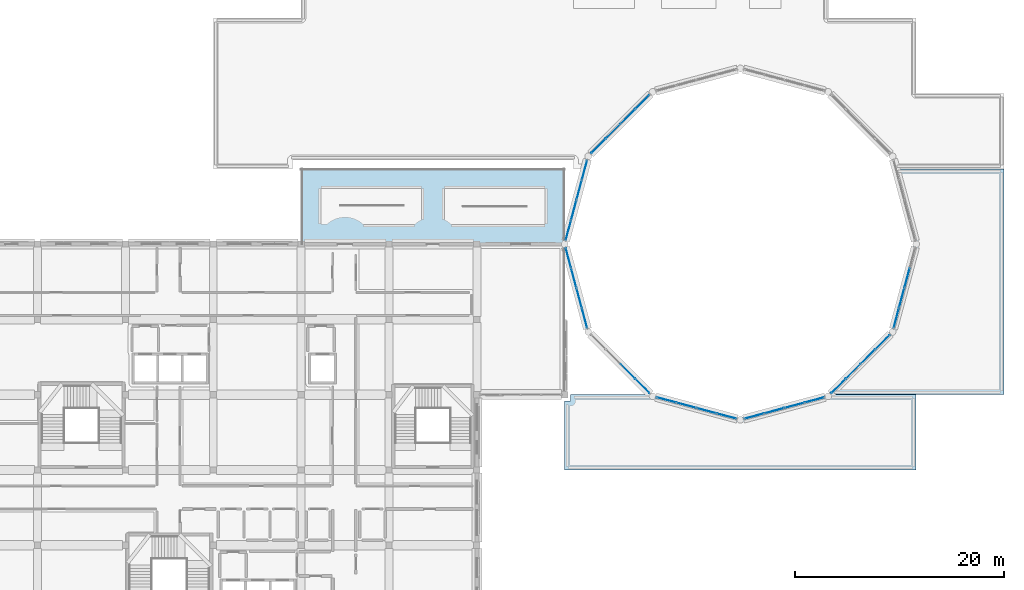
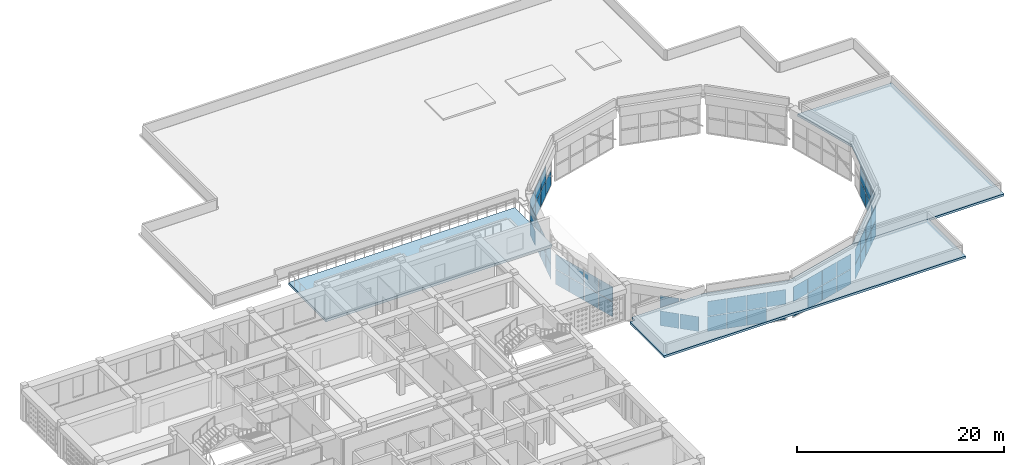
# One storey, part 26 of 48: 57 plates, 3 slabs, 8 elements without a shape of their own.
"""IFC4 building model written with IfcOpenShell, lengths in metres."""

from ifc_helpers import new_model, si_unit, derived_unit, direction, frame, origin, origin_2d, place, context, subcontext, project, spatial, polyline, rectangle, outline, extrude, material, layer, layer_set, type_object, element, aggregate, save


model = new_model("IFC4")

# Units and contexts
model_context = context("Model", 3, precision=1e-05, world=origin(), true_north=direction((0.0, 1.0)))
body_context = subcontext(model_context, "Body", "Model", "MODEL_VIEW")
ifc_project = project(units=[si_unit("LENGTHUNIT", "METRE"), si_unit("AREAUNIT", "SQUARE_METRE"), si_unit("VOLUMEUNIT", "CUBIC_METRE"), si_unit("PLANEANGLEUNIT", "RADIAN"), si_unit("MASSUNIT", "GRAM", prefix="KILO"), derived_unit("THERMALTRANSMITTANCEUNIT", [(si_unit("POWERUNIT", "WATT"), 1), (si_unit("LENGTHUNIT", "METRE"), -2), (si_unit("THERMODYNAMICTEMPERATUREUNIT", "KELVIN"), -1)])], contexts=[model_context])

# Site, building, storey
site_placement = place(None, origin())
site = spatial("IfcSite", under=ifc_project, at=site_placement, CompositionType="ELEMENT")
building_placement = place(site_placement, origin())
building = spatial("IfcBuilding", under=site, at=building_placement, Name="Veybourne Emporium", CompositionType="ELEMENT")
storey_placement = place(building_placement, frame((0.0, 0.0, 27.89990234375)))
storey = spatial("IfcBuildingStorey", under=building, at=storey_placement, Name="L06", CompositionType="ELEMENT", Elevation=27.89990234375)

# Curtain wall, plates
ifc_material_1 = material(Name="Patinated Architectural Bronze", Category="bronze")
curtain_wall_type_1 = type_object("IfcCurtainWallType", Name="CWSystem_CWS-25", PredefinedType="NOTDEFINED", material=ifc_material_1)
curtain_wall_1_placement = place(storey_placement, origin())
curtain_wall_1 = element("IfcCurtainWall", 1, at=curtain_wall_1_placement, inside=storey, type_object=curtain_wall_type_1, Name="Atrium drum clerestory curtain wall 05", PredefinedType="NOTDEFINED")
ifc_material_2 = material(Name="Low-E Triple Glazing", Category="glass")
ifc_layer_1 = layer(ifc_material_2, 0.028076171875)
ifc_layer_set_1 = layer_set([ifc_layer_1], Name="Low-E Triple Glazing")
plate_type = type_object("IfcPlateType", Name="CWPanel_CW-P1", PredefinedType="CURTAIN_PANEL", material=ifc_layer_set_1)
plate_1_placement = place(storey_placement, frame((66.22802734375, 63.977294921875, -4.43017578125), z_axis=(0.0, 0.0, 1.0), x_axis=(-0.707106781187, -0.707106781187, 0.0)))
plate_1 = element("IfcPlate", 2, at=plate_1_placement, type_object=plate_type, Name="CWS-25 panel 1.1", PredefinedType="CURTAIN_PANEL", context=body_context, shape_type="SweptSolid", body=[
    extrude(rectangle(XDim=1.88916015625, YDim=0.028076171875, at=origin_2d()), origin(), (0.0, 0.0, 1.0), 1.735107421875),
])
plate_2_placement = place(storey_placement, frame((64.830322265625, 62.57958984375, -4.43017578125), z_axis=(0.0, 0.0, 1.0), x_axis=(-0.707106781187, -0.707106781187, 0.0)))
plate_2 = element("IfcPlate", 3, at=plate_2_placement, type_object=plate_type, Name="CWS-25 panel 2.1", PredefinedType="CURTAIN_PANEL", context=body_context, shape_type="SweptSolid", body=[
    extrude(rectangle(XDim=1.924072265625, YDim=0.028076171875, at=origin_2d()), origin(), (0.0, 0.0, 1.0), 1.735107421875),
])
plate_3_placement = place(storey_placement, frame((64.830322265625, 62.57958984375, -2.625), z_axis=(0.0, 0.0, 1.0), x_axis=(-0.707106781187, -0.707106781187, 0.0)))
plate_3 = element("IfcPlate", 4, at=plate_3_placement, type_object=plate_type, Name="CWS-25 panel 2.2", PredefinedType="CURTAIN_PANEL", context=body_context, shape_type="SweptSolid", body=[
    extrude(rectangle(XDim=1.924072265625, YDim=0.028076171875, at=origin_2d()), origin(), (0.0, 0.0, 1.0), 1.735107421875),
])
plate_4_placement = place(storey_placement, frame((63.42041015625, 61.169677734375, -4.43017578125), z_axis=(0.0, 0.0, 1.0), x_axis=(-0.707106781187, -0.707106781187, 0.0)))
plate_4 = element("IfcPlate", 5, at=plate_4_placement, type_object=plate_type, Name="CWS-25 panel 3.1", PredefinedType="CURTAIN_PANEL", context=body_context, shape_type="SweptSolid", body=[
    extrude(rectangle(XDim=1.924072265625, YDim=0.028076171875, at=origin_2d()), origin(), (0.0, 0.0, 1.0), 1.735107421875),
])
plate_5_placement = place(storey_placement, frame((63.42041015625, 61.169677734375, -2.625), z_axis=(0.0, 0.0, 1.0), x_axis=(-0.707106781187, -0.707106781187, 0.0)))
plate_5 = element("IfcPlate", 6, at=plate_5_placement, type_object=plate_type, Name="CWS-25 panel 3.2", PredefinedType="CURTAIN_PANEL", context=body_context, shape_type="SweptSolid", body=[
    extrude(rectangle(XDim=1.924072265625, YDim=0.028076171875, at=origin_2d()), origin(), (0.0, 0.0, 1.0), 1.735107421875),
])
plate_6_placement = place(storey_placement, frame((62.022705078125, 59.77197265625, -4.43017578125), z_axis=(0.0, 0.0, 1.0), x_axis=(-0.707106781187, -0.707106781187, 0.0)))
plate_6 = element("IfcPlate", 7, at=plate_6_placement, type_object=plate_type, Name="CWS-25 panel 4.1", PredefinedType="CURTAIN_PANEL", context=body_context, shape_type="SweptSolid", body=[
    extrude(rectangle(XDim=1.88916015625, YDim=0.028076171875, at=origin_2d()), origin(), (0.0, 0.0, 1.0), 1.735107421875),
])
plate_7_placement = place(storey_placement, frame((62.022705078125, 59.77197265625, -2.625), z_axis=(0.0, 0.0, 1.0), x_axis=(-0.707106781187, -0.707106781187, 0.0)))
plate_7 = element("IfcPlate", 8, at=plate_7_placement, type_object=plate_type, Name="CWS-25 panel 4.2", PredefinedType="CURTAIN_PANEL", context=body_context, shape_type="SweptSolid", body=[
    extrude(rectangle(XDim=1.88916015625, YDim=0.028076171875, at=origin_2d()), origin(), (0.0, 0.0, 1.0), 1.735107421875),
])
aggregate(curtain_wall_1, [plate_1, plate_2, plate_3, plate_4, plate_5, plate_6, plate_7])

curtain_wall_type_2 = type_object("IfcCurtainWallType", Name="CWSystem_CWS-26", PredefinedType="NOTDEFINED", material=ifc_material_1)
curtain_wall_2_placement = place(storey_placement, origin())
curtain_wall_2 = element("IfcCurtainWall", 9, at=curtain_wall_2_placement, inside=storey, type_object=curtain_wall_type_2, Name="Atrium drum clerestory curtain wall 06", PredefinedType="NOTDEFINED")
plate_8_placement = place(storey_placement, frame((60.695068359375, 57.472412109375, -4.43017578125), z_axis=(0.0, 0.0, 1.0), x_axis=(-0.258819598266, -0.965925678069, 0.0)))
plate_8 = element("IfcPlate", 10, at=plate_8_placement, type_object=plate_type, Name="CWS-26 panel 1.1", PredefinedType="CURTAIN_PANEL", context=body_context, shape_type="SweptSolid", body=[
    extrude(rectangle(XDim=1.88916015625, YDim=0.028076171875, at=origin_2d()), origin(), (0.0, 0.0, 1.0), 1.735107421875),
])
plate_9_placement = place(storey_placement, frame((60.695068359375, 57.472412109375, -2.625), z_axis=(0.0, 0.0, 1.0), x_axis=(-0.258819598266, -0.965925678069, 0.0)))
plate_9 = element("IfcPlate", 11, at=plate_9_placement, type_object=plate_type, Name="CWS-26 panel 1.2", PredefinedType="CURTAIN_PANEL", context=body_context, shape_type="SweptSolid", body=[
    extrude(rectangle(XDim=1.88916015625, YDim=0.028076171875, at=origin_2d()), origin(), (0.0, 0.0, 1.0), 1.735107421875),
])
plate_10_placement = place(storey_placement, frame((60.183349609375, 55.56298828125, -4.43017578125), z_axis=(0.0, 0.0, 1.0), x_axis=(-0.258819598266, -0.965925678069, 0.0)))
plate_10 = element("IfcPlate", 12, at=plate_10_placement, type_object=plate_type, Name="CWS-26 panel 2.1", PredefinedType="CURTAIN_PANEL", context=body_context, shape_type="SweptSolid", body=[
    extrude(rectangle(XDim=1.924072265625, YDim=0.028076171875, at=origin_2d()), origin(), (0.0, 0.0, 1.0), 1.735107421875),
])
plate_11_placement = place(storey_placement, frame((60.183349609375, 55.56298828125, -2.625), z_axis=(0.0, 0.0, 1.0), x_axis=(-0.258819598266, -0.965925678069, 0.0)))
plate_11 = element("IfcPlate", 13, at=plate_11_placement, type_object=plate_type, Name="CWS-26 panel 2.2", PredefinedType="CURTAIN_PANEL", context=body_context, shape_type="SweptSolid", body=[
    extrude(rectangle(XDim=1.924072265625, YDim=0.028076171875, at=origin_2d()), origin(), (0.0, 0.0, 1.0), 1.735107421875),
])
plate_12_placement = place(storey_placement, frame((59.667236328125, 53.636962890625, -4.43017578125), z_axis=(0.0, 0.0, 1.0), x_axis=(-0.258819598266, -0.965925678069, 0.0)))
plate_12 = element("IfcPlate", 14, at=plate_12_placement, type_object=plate_type, Name="CWS-26 panel 3.1", PredefinedType="CURTAIN_PANEL", context=body_context, shape_type="SweptSolid", body=[
    extrude(rectangle(XDim=1.924072265625, YDim=0.028076171875, at=origin_2d()), origin(), (0.0, 0.0, 1.0), 1.735107421875),
])
plate_13_placement = place(storey_placement, frame((59.667236328125, 53.636962890625, -2.625), z_axis=(0.0, 0.0, 1.0), x_axis=(-0.258819598266, -0.965925678069, 0.0)))
plate_13 = element("IfcPlate", 15, at=plate_13_placement, type_object=plate_type, Name="CWS-26 panel 3.2", PredefinedType="CURTAIN_PANEL", context=body_context, shape_type="SweptSolid", body=[
    extrude(rectangle(XDim=1.924072265625, YDim=0.028076171875, at=origin_2d()), origin(), (0.0, 0.0, 1.0), 1.735107421875),
])
plate_14_placement = place(storey_placement, frame((59.15576171875, 51.727783203125, -4.43017578125), z_axis=(0.0, 0.0, 1.0), x_axis=(-0.258819598266, -0.965925678069, 0.0)))
plate_14 = element("IfcPlate", 16, at=plate_14_placement, type_object=plate_type, Name="CWS-26 panel 4.1", PredefinedType="CURTAIN_PANEL", context=body_context, shape_type="SweptSolid", body=[
    extrude(rectangle(XDim=1.88916015625, YDim=0.028076171875, at=origin_2d()), origin(), (0.0, 0.0, 1.0), 1.735107421875),
])
plate_15_placement = place(storey_placement, frame((59.15576171875, 51.727783203125, -2.625), z_axis=(0.0, 0.0, 1.0), x_axis=(-0.258819598266, -0.965925678069, 0.0)))
plate_15 = element("IfcPlate", 17, at=plate_15_placement, type_object=plate_type, Name="CWS-26 panel 4.2", PredefinedType="CURTAIN_PANEL", context=body_context, shape_type="SweptSolid", body=[
    extrude(rectangle(XDim=1.88916015625, YDim=0.028076171875, at=origin_2d()), origin(), (0.0, 0.0, 1.0), 1.735107421875),
])
aggregate(curtain_wall_2, [plate_8, plate_9, plate_10, plate_11, plate_12, plate_13, plate_14, plate_15])

curtain_wall_type_3 = type_object("IfcCurtainWallType", Name="CWSystem_CWS-27", PredefinedType="NOTDEFINED", material=ifc_material_1)
curtain_wall_3_placement = place(storey_placement, origin())
curtain_wall_3 = element("IfcCurtainWall", 18, at=curtain_wall_3_placement, inside=storey, type_object=curtain_wall_type_3, Name="Atrium drum clerestory curtain wall 07", PredefinedType="NOTDEFINED")
plate_16_placement = place(storey_placement, frame((59.15576171875, 49.072265625, -4.43017578125), z_axis=(0.0, 0.0, 1.0), x_axis=(0.258819598266, -0.965925678069, 0.0)))
plate_16 = element("IfcPlate", 19, at=plate_16_placement, type_object=plate_type, Name="CWS-27 panel 1.1", PredefinedType="CURTAIN_PANEL", context=body_context, shape_type="SweptSolid", body=[
    extrude(rectangle(XDim=1.88916015625, YDim=0.028076171875, at=origin_2d()), origin(), (0.0, 0.0, 1.0), 1.735107421875),
])
plate_17_placement = place(storey_placement, frame((59.15576171875, 49.072265625, -2.625), z_axis=(0.0, 0.0, 1.0), x_axis=(0.258819598266, -0.965925678069, 0.0)))
plate_17 = element("IfcPlate", 20, at=plate_17_placement, type_object=plate_type, Name="CWS-27 panel 1.2", PredefinedType="CURTAIN_PANEL", context=body_context, shape_type="SweptSolid", body=[
    extrude(rectangle(XDim=1.88916015625, YDim=0.028076171875, at=origin_2d()), origin(), (0.0, 0.0, 1.0), 1.735107421875),
])
plate_18_placement = place(storey_placement, frame((59.667236328125, 47.1630859375, -4.43017578125), z_axis=(0.0, 0.0, 1.0), x_axis=(0.258819598266, -0.965925678069, 0.0)))
plate_18 = element("IfcPlate", 21, at=plate_18_placement, type_object=plate_type, Name="CWS-27 panel 2.1", PredefinedType="CURTAIN_PANEL", context=body_context, shape_type="SweptSolid", body=[
    extrude(rectangle(XDim=1.924072265625, YDim=0.028076171875, at=origin_2d()), origin(), (0.0, 0.0, 1.0), 1.735107421875),
])
plate_19_placement = place(storey_placement, frame((59.667236328125, 47.1630859375, -2.625), z_axis=(0.0, 0.0, 1.0), x_axis=(0.258819598266, -0.965925678069, 0.0)))
plate_19 = element("IfcPlate", 22, at=plate_19_placement, type_object=plate_type, Name="CWS-27 panel 2.2", PredefinedType="CURTAIN_PANEL", context=body_context, shape_type="SweptSolid", body=[
    extrude(rectangle(XDim=1.924072265625, YDim=0.028076171875, at=origin_2d()), origin(), (0.0, 0.0, 1.0), 1.735107421875),
])
plate_20_placement = place(storey_placement, frame((60.183349609375, 45.23681640625, -4.43017578125), z_axis=(0.0, 0.0, 1.0), x_axis=(0.258819598266, -0.965925678069, 0.0)))
plate_20 = element("IfcPlate", 23, at=plate_20_placement, type_object=plate_type, Name="CWS-27 panel 3.1", PredefinedType="CURTAIN_PANEL", context=body_context, shape_type="SweptSolid", body=[
    extrude(rectangle(XDim=1.924072265625, YDim=0.028076171875, at=origin_2d()), origin(), (0.0, 0.0, 1.0), 1.735107421875),
])
plate_21_placement = place(storey_placement, frame((60.183349609375, 45.23681640625, -2.625), z_axis=(0.0, 0.0, 1.0), x_axis=(0.258819598266, -0.965925678069, 0.0)))
plate_21 = element("IfcPlate", 24, at=plate_21_placement, type_object=plate_type, Name="CWS-27 panel 3.2", PredefinedType="CURTAIN_PANEL", context=body_context, shape_type="SweptSolid", body=[
    extrude(rectangle(XDim=1.924072265625, YDim=0.028076171875, at=origin_2d()), origin(), (0.0, 0.0, 1.0), 1.735107421875),
])
plate_22_placement = place(storey_placement, frame((60.695068359375, 43.32763671875, -4.43017578125), z_axis=(0.0, 0.0, 1.0), x_axis=(0.258819598266, -0.965925678069, 0.0)))
plate_22 = element("IfcPlate", 25, at=plate_22_placement, type_object=plate_type, Name="CWS-27 panel 4.1", PredefinedType="CURTAIN_PANEL", context=body_context, shape_type="SweptSolid", body=[
    extrude(rectangle(XDim=1.88916015625, YDim=0.028076171875, at=origin_2d()), origin(), (0.0, 0.0, 1.0), 1.735107421875),
])
plate_23_placement = place(storey_placement, frame((60.695068359375, 43.32763671875, -2.625), z_axis=(0.0, 0.0, 1.0), x_axis=(0.258819598266, -0.965925678069, 0.0)))
plate_23 = element("IfcPlate", 26, at=plate_23_placement, type_object=plate_type, Name="CWS-27 panel 4.2", PredefinedType="CURTAIN_PANEL", context=body_context, shape_type="SweptSolid", body=[
    extrude(rectangle(XDim=1.88916015625, YDim=0.028076171875, at=origin_2d()), origin(), (0.0, 0.0, 1.0), 1.735107421875),
])
aggregate(curtain_wall_3, [plate_16, plate_17, plate_18, plate_19, plate_20, plate_21, plate_22, plate_23])

curtain_wall_type_4 = type_object("IfcCurtainWallType", Name="CWSystem_CWS-28", PredefinedType="NOTDEFINED", material=ifc_material_1)
curtain_wall_4_placement = place(storey_placement, origin())
curtain_wall_4 = element("IfcCurtainWall", 27, at=curtain_wall_4_placement, inside=storey, type_object=curtain_wall_type_4, Name="Atrium drum clerestory curtain wall 08", PredefinedType="NOTDEFINED")
plate_24_placement = place(storey_placement, frame((64.830322265625, 38.220458984375, -4.43017578125), z_axis=(0.0, 0.0, 1.0), x_axis=(0.707106781187, -0.707106781187, 0.0)))
plate_24 = element("IfcPlate", 28, at=plate_24_placement, type_object=plate_type, Name="CWS-28 panel 3.1", PredefinedType="CURTAIN_PANEL", context=body_context, shape_type="SweptSolid", body=[
    extrude(rectangle(XDim=1.924072265625, YDim=0.028076171875, at=origin_2d()), origin(), (0.0, 0.0, 1.0), 1.735107421875),
])
plate_25_placement = place(storey_placement, frame((64.830322265625, 38.220458984375, -2.625), z_axis=(0.0, 0.0, 1.0), x_axis=(0.707106781187, -0.707106781187, 0.0)))
plate_25 = element("IfcPlate", 29, at=plate_25_placement, type_object=plate_type, Name="CWS-28 panel 3.2", PredefinedType="CURTAIN_PANEL", context=body_context, shape_type="SweptSolid", body=[
    extrude(rectangle(XDim=1.924072265625, YDim=0.028076171875, at=origin_2d()), origin(), (0.0, 0.0, 1.0), 1.735107421875),
])
plate_26_placement = place(storey_placement, frame((66.22802734375, 36.82275390625, -4.43017578125), z_axis=(0.0, 0.0, 1.0), x_axis=(0.707106781187, -0.707106781187, 0.0)))
plate_26 = element("IfcPlate", 30, at=plate_26_placement, type_object=plate_type, Name="CWS-28 panel 4.1", PredefinedType="CURTAIN_PANEL", context=body_context, shape_type="SweptSolid", body=[
    extrude(rectangle(XDim=1.88916015625, YDim=0.028076171875, at=origin_2d()), origin(), (0.0, 0.0, 1.0), 1.735107421875),
])
plate_27_placement = place(storey_placement, frame((66.22802734375, 36.82275390625, -2.625), z_axis=(0.0, 0.0, 1.0), x_axis=(0.707106781187, -0.707106781187, 0.0)))
plate_27 = element("IfcPlate", 31, at=plate_27_placement, type_object=plate_type, Name="CWS-28 panel 4.2", PredefinedType="CURTAIN_PANEL", context=body_context, shape_type="SweptSolid", body=[
    extrude(rectangle(XDim=1.88916015625, YDim=0.028076171875, at=origin_2d()), origin(), (0.0, 0.0, 1.0), 1.735107421875),
])
aggregate(curtain_wall_4, [plate_24, plate_25, plate_26, plate_27])

curtain_wall_type_5 = type_object("IfcCurtainWallType", Name="CWSystem_CWS-21", PredefinedType="NOTDEFINED", material=ifc_material_1)
curtain_wall_5_placement = place(storey_placement, origin())
curtain_wall_5 = element("IfcCurtainWall", 32, at=curtain_wall_5_placement, inside=storey, type_object=curtain_wall_type_5, Name="Atrium drum clerestory curtain wall 09", PredefinedType="NOTDEFINED")
plate_28_placement = place(storey_placement, frame((68.527587890625, 35.4951171875, -4.43017578125), z_axis=(0.0, 0.0, 1.0), x_axis=(0.965925678069, -0.258819598266, 0.0)))
plate_28 = element("IfcPlate", 33, at=plate_28_placement, type_object=plate_type, Name="CWS-21 panel 1.1", PredefinedType="CURTAIN_PANEL", context=body_context, shape_type="SweptSolid", body=[
    extrude(rectangle(XDim=1.88916015625, YDim=0.028076171875, at=origin_2d()), origin(), (0.0, 0.0, 1.0), 1.735107421875),
])
plate_29_placement = place(storey_placement, frame((68.527587890625, 35.4951171875, -2.625), z_axis=(0.0, 0.0, 1.0), x_axis=(0.965925678069, -0.258819598266, 0.0)))
plate_29 = element("IfcPlate", 34, at=plate_29_placement, type_object=plate_type, Name="CWS-21 panel 1.2", PredefinedType="CURTAIN_PANEL", context=body_context, shape_type="SweptSolid", body=[
    extrude(rectangle(XDim=1.88916015625, YDim=0.028076171875, at=origin_2d()), origin(), (0.0, 0.0, 1.0), 1.735107421875),
])
plate_30_placement = place(storey_placement, frame((70.43701171875, 34.9833984375, -4.43017578125), z_axis=(0.0, 0.0, 1.0), x_axis=(0.965925678069, -0.258819598266, 0.0)))
plate_30 = element("IfcPlate", 35, at=plate_30_placement, type_object=plate_type, Name="CWS-21 panel 2.1", PredefinedType="CURTAIN_PANEL", context=body_context, shape_type="SweptSolid", body=[
    extrude(rectangle(XDim=1.924072265625, YDim=0.028076171875, at=origin_2d()), origin(), (0.0, 0.0, 1.0), 1.735107421875),
])
plate_31_placement = place(storey_placement, frame((70.43701171875, 34.9833984375, -2.625), z_axis=(0.0, 0.0, 1.0), x_axis=(0.965925678069, -0.258819598266, 0.0)))
plate_31 = element("IfcPlate", 36, at=plate_31_placement, type_object=plate_type, Name="CWS-21 panel 2.2", PredefinedType="CURTAIN_PANEL", context=body_context, shape_type="SweptSolid", body=[
    extrude(rectangle(XDim=1.924072265625, YDim=0.028076171875, at=origin_2d()), origin(), (0.0, 0.0, 1.0), 1.735107421875),
])
plate_32_placement = place(storey_placement, frame((72.363037109375, 34.46728515625, -4.43017578125), z_axis=(0.0, 0.0, 1.0), x_axis=(0.965925678069, -0.258819598266, 0.0)))
plate_32 = element("IfcPlate", 37, at=plate_32_placement, type_object=plate_type, Name="CWS-21 panel 3.1", PredefinedType="CURTAIN_PANEL", context=body_context, shape_type="SweptSolid", body=[
    extrude(rectangle(XDim=1.924072265625, YDim=0.028076171875, at=origin_2d()), origin(), (0.0, 0.0, 1.0), 1.735107421875),
])
plate_33_placement = place(storey_placement, frame((72.363037109375, 34.46728515625, -2.625), z_axis=(0.0, 0.0, 1.0), x_axis=(0.965925678069, -0.258819598266, 0.0)))
plate_33 = element("IfcPlate", 38, at=plate_33_placement, type_object=plate_type, Name="CWS-21 panel 3.2", PredefinedType="CURTAIN_PANEL", context=body_context, shape_type="SweptSolid", body=[
    extrude(rectangle(XDim=1.924072265625, YDim=0.028076171875, at=origin_2d()), origin(), (0.0, 0.0, 1.0), 1.735107421875),
])
plate_34_placement = place(storey_placement, frame((74.272216796875, 33.955810546875, -4.43017578125), z_axis=(0.0, 0.0, 1.0), x_axis=(0.965925678069, -0.258819598266, 0.0)))
plate_34 = element("IfcPlate", 39, at=plate_34_placement, type_object=plate_type, Name="CWS-21 panel 4.1", PredefinedType="CURTAIN_PANEL", context=body_context, shape_type="SweptSolid", body=[
    extrude(rectangle(XDim=1.88916015625, YDim=0.028076171875, at=origin_2d()), origin(), (0.0, 0.0, 1.0), 1.735107421875),
])
plate_35_placement = place(storey_placement, frame((74.272216796875, 33.955810546875, -2.625), z_axis=(0.0, 0.0, 1.0), x_axis=(0.965925678069, -0.258819598266, 0.0)))
plate_35 = element("IfcPlate", 40, at=plate_35_placement, type_object=plate_type, Name="CWS-21 panel 4.2", PredefinedType="CURTAIN_PANEL", context=body_context, shape_type="SweptSolid", body=[
    extrude(rectangle(XDim=1.88916015625, YDim=0.028076171875, at=origin_2d()), origin(), (0.0, 0.0, 1.0), 1.735107421875),
])
aggregate(curtain_wall_5, [plate_28, plate_29, plate_30, plate_31, plate_32, plate_33, plate_34, plate_35])

curtain_wall_type_6 = type_object("IfcCurtainWallType", Name="CWSystem_CWS-22", PredefinedType="NOTDEFINED", material=ifc_material_1)
curtain_wall_6_placement = place(storey_placement, origin())
curtain_wall_6 = element("IfcCurtainWall", 41, at=curtain_wall_6_placement, inside=storey, type_object=curtain_wall_type_6, Name="Atrium drum clerestory curtain wall 10", PredefinedType="NOTDEFINED")
plate_36_placement = place(storey_placement, frame((76.927734375, 33.955810546875, -4.43017578125), z_axis=(0.0, 0.0, 1.0), x_axis=(0.965925678069, 0.258819598266, 0.0)))
plate_36 = element("IfcPlate", 42, at=plate_36_placement, type_object=plate_type, Name="CWS-22 panel 1.1", PredefinedType="CURTAIN_PANEL", context=body_context, shape_type="SweptSolid", body=[
    extrude(rectangle(XDim=1.88916015625, YDim=0.028076171875, at=origin_2d()), origin(), (0.0, 0.0, 1.0), 1.735107421875),
])
plate_37_placement = place(storey_placement, frame((76.927734375, 33.955810546875, -2.625), z_axis=(0.0, 0.0, 1.0), x_axis=(0.965925678069, 0.258819598266, 0.0)))
plate_37 = element("IfcPlate", 43, at=plate_37_placement, type_object=plate_type, Name="CWS-22 panel 1.2", PredefinedType="CURTAIN_PANEL", context=body_context, shape_type="SweptSolid", body=[
    extrude(rectangle(XDim=1.88916015625, YDim=0.028076171875, at=origin_2d()), origin(), (0.0, 0.0, 1.0), 1.735107421875),
])
plate_38_placement = place(storey_placement, frame((78.8369140625, 34.46728515625, -4.43017578125), z_axis=(0.0, 0.0, 1.0), x_axis=(0.965925678069, 0.258819598266, 0.0)))
plate_38 = element("IfcPlate", 44, at=plate_38_placement, type_object=plate_type, Name="CWS-22 panel 2.1", PredefinedType="CURTAIN_PANEL", context=body_context, shape_type="SweptSolid", body=[
    extrude(rectangle(XDim=1.924072265625, YDim=0.028076171875, at=origin_2d()), origin(), (0.0, 0.0, 1.0), 1.735107421875),
])
plate_39_placement = place(storey_placement, frame((78.8369140625, 34.46728515625, -2.625), z_axis=(0.0, 0.0, 1.0), x_axis=(0.965925678069, 0.258819598266, 0.0)))
plate_39 = element("IfcPlate", 45, at=plate_39_placement, type_object=plate_type, Name="CWS-22 panel 2.2", PredefinedType="CURTAIN_PANEL", context=body_context, shape_type="SweptSolid", body=[
    extrude(rectangle(XDim=1.924072265625, YDim=0.028076171875, at=origin_2d()), origin(), (0.0, 0.0, 1.0), 1.735107421875),
])
plate_40_placement = place(storey_placement, frame((80.76318359375, 34.9833984375, -4.43017578125), z_axis=(0.0, 0.0, 1.0), x_axis=(0.965925678069, 0.258819598266, 0.0)))
plate_40 = element("IfcPlate", 46, at=plate_40_placement, type_object=plate_type, Name="CWS-22 panel 3.1", PredefinedType="CURTAIN_PANEL", context=body_context, shape_type="SweptSolid", body=[
    extrude(rectangle(XDim=1.924072265625, YDim=0.028076171875, at=origin_2d()), origin(), (0.0, 0.0, 1.0), 1.735107421875),
])
plate_41_placement = place(storey_placement, frame((80.76318359375, 34.9833984375, -2.625), z_axis=(0.0, 0.0, 1.0), x_axis=(0.965925678069, 0.258819598266, 0.0)))
plate_41 = element("IfcPlate", 47, at=plate_41_placement, type_object=plate_type, Name="CWS-22 panel 3.2", PredefinedType="CURTAIN_PANEL", context=body_context, shape_type="SweptSolid", body=[
    extrude(rectangle(XDim=1.924072265625, YDim=0.028076171875, at=origin_2d()), origin(), (0.0, 0.0, 1.0), 1.735107421875),
])
plate_42_placement = place(storey_placement, frame((82.67236328125, 35.4951171875, -4.43017578125), z_axis=(0.0, 0.0, 1.0), x_axis=(0.965925678069, 0.258819598266, 0.0)))
plate_42 = element("IfcPlate", 48, at=plate_42_placement, type_object=plate_type, Name="CWS-22 panel 4.1", PredefinedType="CURTAIN_PANEL", context=body_context, shape_type="SweptSolid", body=[
    extrude(rectangle(XDim=1.88916015625, YDim=0.028076171875, at=origin_2d()), origin(), (0.0, 0.0, 1.0), 1.735107421875),
])
plate_43_placement = place(storey_placement, frame((82.67236328125, 35.4951171875, -2.625), z_axis=(0.0, 0.0, 1.0), x_axis=(0.965925678069, 0.258819598266, 0.0)))
plate_43 = element("IfcPlate", 49, at=plate_43_placement, type_object=plate_type, Name="CWS-22 panel 4.2", PredefinedType="CURTAIN_PANEL", context=body_context, shape_type="SweptSolid", body=[
    extrude(rectangle(XDim=1.88916015625, YDim=0.028076171875, at=origin_2d()), origin(), (0.0, 0.0, 1.0), 1.735107421875),
])
aggregate(curtain_wall_6, [plate_36, plate_37, plate_38, plate_39, plate_40, plate_41, plate_42, plate_43])

curtain_wall_type_7 = type_object("IfcCurtainWallType", Name="CWSystem_CWS-23", PredefinedType="NOTDEFINED", material=ifc_material_1)
curtain_wall_7_placement = place(storey_placement, origin())
curtain_wall_7 = element("IfcCurtainWall", 50, at=curtain_wall_7_placement, inside=storey, type_object=curtain_wall_type_7, Name="Atrium drum clerestory curtain wall 11", PredefinedType="NOTDEFINED")
plate_44_placement = place(storey_placement, frame((84.971923828125, 36.82275390625, -4.43017578125), z_axis=(0.0, 0.0, 1.0), x_axis=(0.707106781187, 0.707106781187, 0.0)))
plate_44 = element("IfcPlate", 51, at=plate_44_placement, type_object=plate_type, Name="CWS-23 panel 1.1", PredefinedType="CURTAIN_PANEL", context=body_context, shape_type="SweptSolid", body=[
    extrude(rectangle(XDim=1.88916015625, YDim=0.028076171875, at=origin_2d()), origin(), (0.0, 0.0, 1.0), 1.735107421875),
])
plate_45_placement = place(storey_placement, frame((84.971923828125, 36.82275390625, -2.625), z_axis=(0.0, 0.0, 1.0), x_axis=(0.707106781187, 0.707106781187, 0.0)))
plate_45 = element("IfcPlate", 52, at=plate_45_placement, type_object=plate_type, Name="CWS-23 panel 1.2", PredefinedType="CURTAIN_PANEL", context=body_context, shape_type="SweptSolid", body=[
    extrude(rectangle(XDim=1.88916015625, YDim=0.028076171875, at=origin_2d()), origin(), (0.0, 0.0, 1.0), 1.735107421875),
])
plate_46_placement = place(storey_placement, frame((86.36962890625, 38.220458984375, -4.43017578125), z_axis=(0.0, 0.0, 1.0), x_axis=(0.707106781187, 0.707106781187, 0.0)))
plate_46 = element("IfcPlate", 53, at=plate_46_placement, type_object=plate_type, Name="CWS-23 panel 2.1", PredefinedType="CURTAIN_PANEL", context=body_context, shape_type="SweptSolid", body=[
    extrude(rectangle(XDim=1.924072265625, YDim=0.028076171875, at=origin_2d()), origin(), (0.0, 0.0, 1.0), 1.735107421875),
])
plate_47_placement = place(storey_placement, frame((86.36962890625, 38.220458984375, -2.625), z_axis=(0.0, 0.0, 1.0), x_axis=(0.707106781187, 0.707106781187, 0.0)))
plate_47 = element("IfcPlate", 54, at=plate_47_placement, type_object=plate_type, Name="CWS-23 panel 2.2", PredefinedType="CURTAIN_PANEL", context=body_context, shape_type="SweptSolid", body=[
    extrude(rectangle(XDim=1.924072265625, YDim=0.028076171875, at=origin_2d()), origin(), (0.0, 0.0, 1.0), 1.735107421875),
])
plate_48_placement = place(storey_placement, frame((87.779541015625, 39.63037109375, -4.43017578125), z_axis=(0.0, 0.0, 1.0), x_axis=(0.707106781187, 0.707106781187, 0.0)))
plate_48 = element("IfcPlate", 55, at=plate_48_placement, type_object=plate_type, Name="CWS-23 panel 3.1", PredefinedType="CURTAIN_PANEL", context=body_context, shape_type="SweptSolid", body=[
    extrude(rectangle(XDim=1.924072265625, YDim=0.028076171875, at=origin_2d()), origin(), (0.0, 0.0, 1.0), 1.735107421875),
])
plate_49_placement = place(storey_placement, frame((87.779541015625, 39.63037109375, -2.625), z_axis=(0.0, 0.0, 1.0), x_axis=(0.707106781187, 0.707106781187, 0.0)))
plate_49 = element("IfcPlate", 56, at=plate_49_placement, type_object=plate_type, Name="CWS-23 panel 3.2", PredefinedType="CURTAIN_PANEL", context=body_context, shape_type="SweptSolid", body=[
    extrude(rectangle(XDim=1.924072265625, YDim=0.028076171875, at=origin_2d()), origin(), (0.0, 0.0, 1.0), 1.735107421875),
])
plate_50_placement = place(storey_placement, frame((89.17724609375, 41.028076171875, -4.43017578125), z_axis=(0.0, 0.0, 1.0), x_axis=(0.707106781187, 0.707106781187, 0.0)))
plate_50 = element("IfcPlate", 57, at=plate_50_placement, type_object=plate_type, Name="CWS-23 panel 4.1", PredefinedType="CURTAIN_PANEL", context=body_context, shape_type="SweptSolid", body=[
    extrude(rectangle(XDim=1.88916015625, YDim=0.028076171875, at=origin_2d()), origin(), (0.0, 0.0, 1.0), 1.735107421875),
])
plate_51_placement = place(storey_placement, frame((89.17724609375, 41.028076171875, -2.625), z_axis=(0.0, 0.0, 1.0), x_axis=(0.707106781187, 0.707106781187, 0.0)))
plate_51 = element("IfcPlate", 58, at=plate_51_placement, type_object=plate_type, Name="CWS-23 panel 4.2", PredefinedType="CURTAIN_PANEL", context=body_context, shape_type="SweptSolid", body=[
    extrude(rectangle(XDim=1.88916015625, YDim=0.028076171875, at=origin_2d()), origin(), (0.0, 0.0, 1.0), 1.735107421875),
])
aggregate(curtain_wall_7, [plate_44, plate_45, plate_46, plate_47, plate_48, plate_49, plate_50, plate_51])

curtain_wall_type_8 = type_object("IfcCurtainWallType", Name="CWSystem_CWS-24", PredefinedType="NOTDEFINED", material=ifc_material_1)
curtain_wall_8_placement = place(storey_placement, origin())
curtain_wall_8 = element("IfcCurtainWall", 59, at=curtain_wall_8_placement, inside=storey, type_object=curtain_wall_type_8, Name="Atrium drum clerestory curtain wall 12", PredefinedType="NOTDEFINED")
plate_52_placement = place(storey_placement, frame((90.5048828125, 43.32763671875, -4.43017578125), z_axis=(0.0, 0.0, 1.0), x_axis=(0.258819598266, 0.965925678069, 0.0)))
plate_52 = element("IfcPlate", 60, at=plate_52_placement, type_object=plate_type, Name="CWS-24 panel 1.1", PredefinedType="CURTAIN_PANEL", context=body_context, shape_type="SweptSolid", body=[
    extrude(rectangle(XDim=1.88916015625, YDim=0.028076171875, at=origin_2d()), origin(), (0.0, 0.0, 1.0), 1.735107421875),
])
plate_53_placement = place(storey_placement, frame((90.5048828125, 43.32763671875, -2.625), z_axis=(0.0, 0.0, 1.0), x_axis=(0.258819598266, 0.965925678069, 0.0)))
plate_53 = element("IfcPlate", 61, at=plate_53_placement, type_object=plate_type, Name="CWS-24 panel 1.2", PredefinedType="CURTAIN_PANEL", context=body_context, shape_type="SweptSolid", body=[
    extrude(rectangle(XDim=1.88916015625, YDim=0.028076171875, at=origin_2d()), origin(), (0.0, 0.0, 1.0), 1.735107421875),
])
plate_54_placement = place(storey_placement, frame((91.0166015625, 45.23681640625, -4.43017578125), z_axis=(0.0, 0.0, 1.0), x_axis=(0.258819598266, 0.965925678069, 0.0)))
plate_54 = element("IfcPlate", 62, at=plate_54_placement, type_object=plate_type, Name="CWS-24 panel 2.1", PredefinedType="CURTAIN_PANEL", context=body_context, shape_type="SweptSolid", body=[
    extrude(rectangle(XDim=1.924072265625, YDim=0.028076171875, at=origin_2d()), origin(), (0.0, 0.0, 1.0), 1.735107421875),
])
plate_55_placement = place(storey_placement, frame((91.0166015625, 45.23681640625, -2.625), z_axis=(0.0, 0.0, 1.0), x_axis=(0.258819598266, 0.965925678069, 0.0)))
plate_55 = element("IfcPlate", 63, at=plate_55_placement, type_object=plate_type, Name="CWS-24 panel 2.2", PredefinedType="CURTAIN_PANEL", context=body_context, shape_type="SweptSolid", body=[
    extrude(rectangle(XDim=1.924072265625, YDim=0.028076171875, at=origin_2d()), origin(), (0.0, 0.0, 1.0), 1.735107421875),
])
plate_56_placement = place(storey_placement, frame((91.53271484375, 47.1630859375, -4.43017578125), z_axis=(0.0, 0.0, 1.0), x_axis=(0.258819598266, 0.965925678069, 0.0)))
plate_56 = element("IfcPlate", 64, at=plate_56_placement, type_object=plate_type, Name="CWS-24 panel 3.1", PredefinedType="CURTAIN_PANEL", context=body_context, shape_type="SweptSolid", body=[
    extrude(rectangle(XDim=1.924072265625, YDim=0.028076171875, at=origin_2d()), origin(), (0.0, 0.0, 1.0), 1.735107421875),
])
plate_57_placement = place(storey_placement, frame((91.53271484375, 47.1630859375, -2.625), z_axis=(0.0, 0.0, 1.0), x_axis=(0.258819598266, 0.965925678069, 0.0)))
plate_57 = element("IfcPlate", 65, at=plate_57_placement, type_object=plate_type, Name="CWS-24 panel 3.2", PredefinedType="CURTAIN_PANEL", context=body_context, shape_type="SweptSolid", body=[
    extrude(rectangle(XDim=1.924072265625, YDim=0.028076171875, at=origin_2d()), origin(), (0.0, 0.0, 1.0), 1.735107421875),
])
aggregate(curtain_wall_8, [plate_52, plate_53, plate_54, plate_55, plate_56, plate_57])

# Slabs
ifc_material_3 = material(Name="Concrete C32/40", Category="concrete")
ifc_layer_2 = layer(ifc_material_3, 0.260009765625)
ifc_layer_set_2 = layer_set([ifc_layer_2], Name="Concrete C32/40")
slab_type_1 = type_object("IfcSlabType", Name="Slab_RS-01", PredefinedType="ROOF", material=ifc_layer_set_2)
slab_1_placement = place(storey_placement, frame((0.0, 0.0, -0.260009765625)))
element("IfcSlab", 66, at=slab_1_placement, inside=storey, type_object=slab_type_1, Name="L06 flat roof slab 2", PredefinedType="ROOF", context=body_context, shape_type="SweptSolid", body=[
    extrude(outline(polyline([(67.199951171875, 36.0), (67.389404296875, 36.0), (75.60009765625, 33.800048828125), (83.810546875, 36.0), (84.0, 36.0), (92.39990234375, 36.0), (92.39990234375, 28.800048828125), (84.0, 28.800048828125), (75.60009765625, 28.800048828125), (67.199951171875, 28.800048828125), (58.800048828125, 28.800048828125), (58.800048828125, 35.39990234375), (59.35009765625, 35.39990234375), (59.35009765625, 36.0), (67.199951171875, 36.0)])), origin(), (0.0, 0.0, 1.0), 0.260009765625),
])
slab_2_placement = place(storey_placement, frame((0.0, 0.0, -0.260009765625)))
element("IfcSlab", 67, at=slab_2_placement, inside=storey, type_object=slab_type_1, Name="L06 flat roof slab 3", PredefinedType="ROOF", context=body_context, shape_type="SweptSolid", body=[
    extrude(outline(polyline([(92.39990234375, 57.60009765625), (100.800048828125, 57.60009765625), (100.800048828125, 50.39990234375), (100.800048828125, 43.199951171875), (100.800048828125, 36.0), (92.39990234375, 36.0), (84.0, 36.0), (83.810546875, 36.0), (83.89990234375, 36.02392578125), (89.97607421875, 42.10009765625), (92.199951171875, 50.39990234375), (90.270751953125, 57.60009765625), (92.39990234375, 57.60009765625)])), origin(), (0.0, 0.0, 1.0), 0.260009765625),
])
ifc_layer_3 = layer(ifc_material_3, 0.2900390625)
ifc_layer_set_3 = layer_set([ifc_layer_3], Name="Concrete C32/40")
slab_type_2 = type_object("IfcSlabType", Name="Slab_TS-02", PredefinedType="FLOOR", material=ifc_layer_set_3)
slab_3_placement = place(storey_placement, frame((0.0, 0.0, -0.289794921875)))
element("IfcSlab", 68, at=slab_3_placement, inside=storey, type_object=slab_type_2, Name="L06 planted roof garden terrace slab 2", PredefinedType="FLOOR", context=body_context, shape_type="SweptSolid", body=[
    extrude(outline(polyline([(50.39990234375, 57.60009765625), (58.800048828125, 57.60009765625), (58.800048828125, 50.39990234375), (50.39990234375, 50.39990234375), (42.0, 50.39990234375), (33.60009765625, 50.39990234375), (33.60009765625, 57.60009765625), (42.0, 57.60009765625), (50.39990234375, 57.60009765625)])), origin(), (0.0, 0.0, 1.0), 0.289794921875),
])

save(model, "model.ifc")
